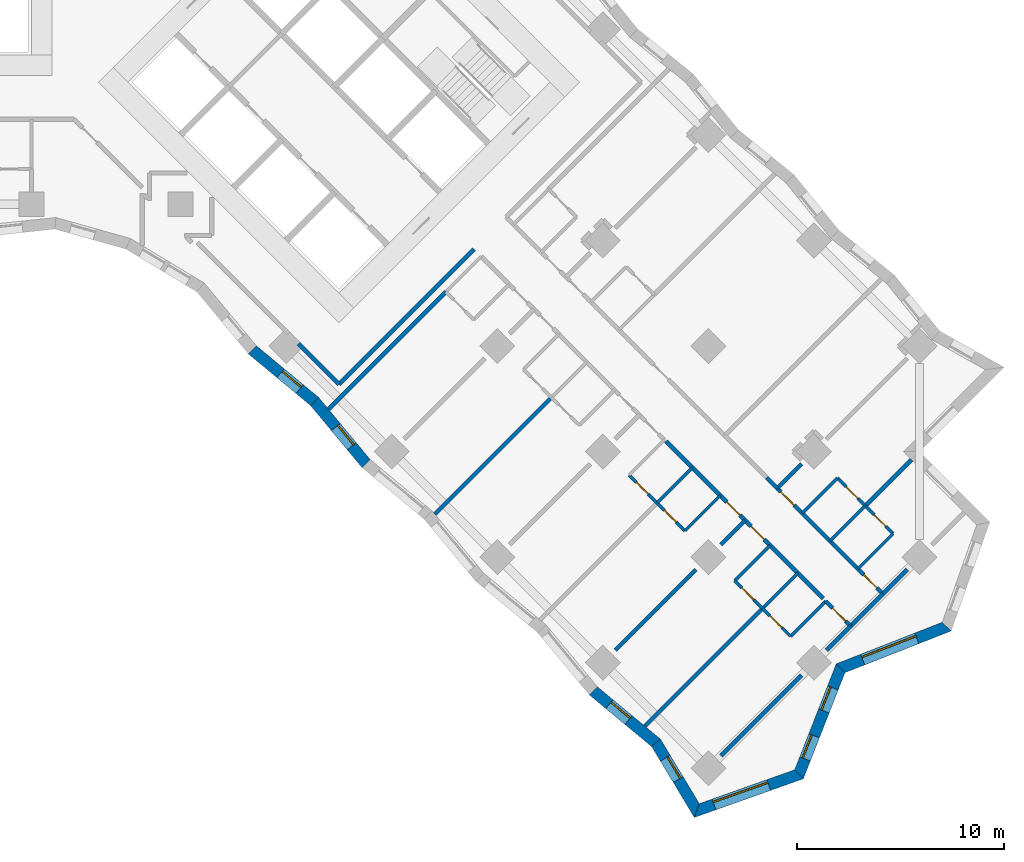
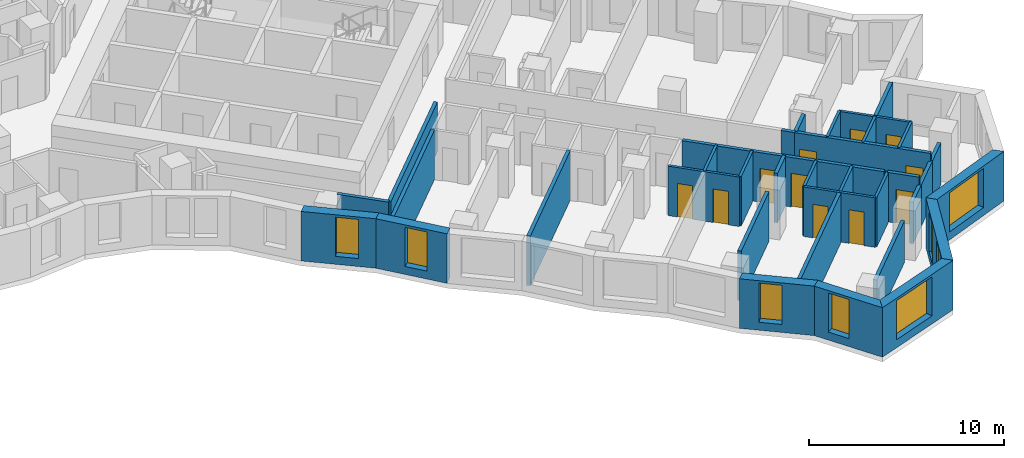
# One storey, part 8 of 13: 36 walls, 11 doors, 8 windows, 19 openings.
"""IFC4 building model written with IfcOpenShell, lengths in metres."""

from ifc_helpers import new_model, si_unit, direction, frame, frame_2d, origin, place, context, subcontext, project, spatial, polyline, rectangle, outline, extrude, material, layer, layer_set, type_object, element, fill, save


model = new_model("IFC4")

# Units and contexts
model_context = context("Model", 3, precision=1e-05, world=origin(), true_north=direction((0.0, 1.0)))
body_context = subcontext(model_context, "Body", "Model", "MODEL_VIEW")
ifc_project = project(units=[si_unit("LENGTHUNIT", "METRE"), si_unit("AREAUNIT", "SQUARE_METRE"), si_unit("VOLUMEUNIT", "CUBIC_METRE"), si_unit("PLANEANGLEUNIT", "RADIAN"), si_unit("MASSUNIT", "GRAM", prefix="KILO")], contexts=[model_context])

# Site, building, storey
site_placement = place(None, origin())
site = spatial("IfcSite", under=ifc_project, at=site_placement, CompositionType="ELEMENT")
building_placement = place(site_placement, origin())
building = spatial("IfcBuilding", under=site, at=building_placement, Name="Windrow Commons", CompositionType="ELEMENT")
storey_placement = place(building_placement, frame((0.0, 0.0, 33.8)))
storey = spatial("IfcBuildingStorey", under=building, at=storey_placement, Name="L08", CompositionType="ELEMENT", Elevation=33.8)

# Wall, opening, window
ifc_material_1 = material(Name="Brick masonry, red clay brick", Category="masonry")
ifc_layer_1 = layer(ifc_material_1, 0.55)
ifc_layer_set_1 = layer_set([ifc_layer_1], Name="Brick facade wall 550")
wall_type_1 = type_object("IfcWallType", Name="Brick facade wall 550", PredefinedType="SOLIDWALL", material=ifc_layer_set_1)
wall_1_placement = place(storey_placement, frame((104.0959, 13.9548, 0.0), z_axis=(0.0, 0.0, 1.0), x_axis=(0.9424205564, 0.3344301046, 0.0)))
wall_1 = element("IfcWall", 1, at=wall_1_placement, inside=storey, type_object=wall_type_1, Name="Brick facade wall L08 1", PredefinedType="SOLIDWALL", context=body_context, shape_type="SweptSolid", body=[
    extrude(outline(polyline([(-0.2245, -0.275), (5.358, -0.275), (5.1071, 0.275), (0.2245, 0.275), (-0.2245, -0.275)])), origin(), (0.0, 0.0, 1.0), 3.1),
])
opening_1_placement = place(wall_1_placement, frame((0.8836, 0.0, 0.5)))
opening_1 = element("IfcOpeningElement", 2, at=opening_1_placement, cuts=wall_1, Name="Opening W1T", PredefinedType="OPENING", context=body_context, shape_type="SweptSolid", body=[
    extrude(rectangle(XDim=2.8, YDim=2.45, at=frame_2d((1.4, 1.225))), frame((0.0, 0.285, 0.0), z_axis=(0.0, -1.0, 0.0), x_axis=(1.0, 0.0, 0.0)), (0.0, 0.0, 1.0), 0.57),
])
ifc_material_2 = material(Name="Clear float glass in anodised aluminium frame", Category="aluminium")
window_type_1 = type_object("IfcWindowType", Name="Window W1T bedroom 2800x2450", PartitioningType="SINGLE_PANEL", PredefinedType="WINDOW", material=ifc_material_2)
window_1_placement = place(opening_1_placement, origin())
window_1 = element("IfcWindow", 3, at=window_1_placement, inside=storey, type_object=window_type_1, Name="Window L08 1.1", OverallHeight=2.45, OverallWidth=2.8, PartitioningType="SINGLE_PANEL", PredefinedType="WINDOW", context=body_context, shape_type="SweptSolid", body=[
    extrude(rectangle(XDim=2.8, YDim=2.45, at=frame_2d((1.4, 1.225))), frame((0.0, 0.155, 0.0), z_axis=(0.0, -1.0, 0.0), x_axis=(1.0, 0.0, 0.0)), (0.0, 0.0, 1.0), 0.06),
])
fill(opening_1, window_1)

# Wall, openings, windows
wall_2_placement = place(storey_placement, frame((109.0271, 15.7047, 0.0), z_axis=(0.0, 0.0, 1.0), x_axis=(0.3651939331, 0.9309314643, 0.0)))
wall_2 = element("IfcWall", 4, at=wall_2_placement, inside=storey, type_object=wall_type_1, Name="Brick facade wall L08 2", PredefinedType="SOLIDWALL", context=body_context, shape_type="SweptSolid", body=[
    extrude(outline(polyline([(-0.1254, -0.275), (5.374, -0.275), (5.6141, 0.275), (0.1254, 0.275), (-0.1254, -0.275)])), origin(), (0.0, 0.0, 1.0), 3.1),
])
opening_2_placement = place(wall_2_placement, frame((0.7955, 0.0, 0.5)))
opening_2 = element("IfcOpeningElement", 5, at=opening_2_placement, cuts=wall_2, Name="Opening W7D", PredefinedType="OPENING", context=body_context, shape_type="SweptSolid", body=[
    extrude(rectangle(XDim=1.2, YDim=2.45, at=frame_2d((0.6, 1.225))), frame((0.0, 0.285, 0.0), z_axis=(0.0, -1.0, 0.0), x_axis=(1.0, 0.0, 0.0)), (0.0, 0.0, 1.0), 0.57),
])
opening_3_placement = place(wall_2_placement, frame((3.2798, 0.0, 0.5)))
opening_3 = element("IfcOpeningElement", 6, at=opening_3_placement, cuts=wall_2, Name="Opening W7D", PredefinedType="OPENING", context=body_context, shape_type="SweptSolid", body=[
    extrude(rectangle(XDim=1.2, YDim=2.45, at=frame_2d((0.6, 1.225))), frame((0.0, 0.285, 0.0), z_axis=(0.0, -1.0, 0.0), x_axis=(1.0, 0.0, 0.0)), (0.0, 0.0, 1.0), 0.57),
])
ifc_material_3 = material(Name="Clear float glass in anodised aluminium frame", Category="aluminium")
window_type_2 = type_object("IfcWindowType", Name="Window W7 notch 1200x2450", PartitioningType="SINGLE_PANEL", PredefinedType="WINDOW", material=ifc_material_3)
window_2_placement = place(opening_2_placement, origin())
window_2 = element("IfcWindow", 7, at=window_2_placement, inside=storey, type_object=window_type_2, Name="Window L08 2.1", OverallHeight=2.45, OverallWidth=1.2, PartitioningType="SINGLE_PANEL", PredefinedType="WINDOW", context=body_context, shape_type="SweptSolid", body=[
    extrude(rectangle(XDim=1.2, YDim=2.45, at=frame_2d((0.6, 1.225))), frame((0.0, 0.155, 0.0), z_axis=(0.0, -1.0, 0.0), x_axis=(1.0, 0.0, 0.0)), (0.0, 0.0, 1.0), 0.06),
])
fill(opening_2, window_2)
window_3_placement = place(opening_3_placement, origin())
window_3 = element("IfcWindow", 8, at=window_3_placement, inside=storey, type_object=window_type_2, Name="Window L08 2.2", OverallHeight=2.45, OverallWidth=1.2, PartitioningType="SINGLE_PANEL", PredefinedType="WINDOW", context=body_context, shape_type="SweptSolid", body=[
    extrude(rectangle(XDim=1.2, YDim=2.45, at=frame_2d((0.6, 1.225))), frame((0.0, 0.155, 0.0), z_axis=(0.0, -1.0, 0.0), x_axis=(1.0, 0.0, 0.0)), (0.0, 0.0, 1.0), 0.06),
])
fill(opening_3, window_3)

# Wall, opening, window
wall_3_placement = place(storey_placement, frame((111.0335, 20.8193, 0.0), z_axis=(0.0, 0.0, 1.0), x_axis=(0.9309376522, 0.3651781589, 0.0)))
wall_3 = element("IfcWall", 9, at=wall_3_placement, inside=storey, type_object=wall_type_1, Name="Brick facade wall L08 3", PredefinedType="SOLIDWALL", context=body_context, shape_type="SweptSolid", body=[
    extrude(outline(polyline([(0.12, -0.275), (5.6195, -0.275), (5.3686, 0.275), (-0.12, 0.275), (0.12, -0.275)])), origin(), (0.0, 0.0, 1.0), 3.1),
])
opening_4_placement = place(wall_3_placement, frame((1.142, 0.0, 0.5)))
opening_4 = element("IfcOpeningElement", 10, at=opening_4_placement, cuts=wall_3, Name="Opening W1T", PredefinedType="OPENING", context=body_context, shape_type="SweptSolid", body=[
    extrude(rectangle(XDim=2.8, YDim=2.45, at=frame_2d((1.4, 1.225))), frame((0.0, 0.285, 0.0), z_axis=(0.0, -1.0, 0.0), x_axis=(1.0, 0.0, 0.0)), (0.0, 0.0, 1.0), 0.57),
])
window_4_placement = place(opening_4_placement, origin())
window_4 = element("IfcWindow", 11, at=window_4_placement, inside=storey, type_object=window_type_1, Name="Window L08 3.1", OverallHeight=2.45, OverallWidth=2.8, PartitioningType="SINGLE_PANEL", PredefinedType="WINDOW", context=body_context, shape_type="SweptSolid", body=[
    extrude(rectangle(XDim=2.8, YDim=2.45, at=frame_2d((1.4, 1.225))), frame((0.0, 0.155, 0.0), z_axis=(0.0, -1.0, 0.0), x_axis=(1.0, 0.0, 0.0)), (0.0, 0.0, 1.0), 0.06),
])
fill(opening_4, window_4)

wall_4_placement = place(storey_placement, frame((82.6611, 36.1749, 0.0), z_axis=(0.0, 0.0, 1.0), x_axis=(0.7696065296, -0.6385184333, 0.0)))
wall_4 = element("IfcWall", 12, at=wall_4_placement, inside=storey, type_object=wall_type_1, Name="Brick facade wall L08 56", PredefinedType="SOLIDWALL", context=body_context, shape_type="SweptSolid", body=[
    extrude(outline(polyline([(-0.0256, -0.275), (3.8687, -0.275), (3.9199, 0.275), (0.0256, 0.275), (-0.0256, -0.275)])), origin(), (0.0, 0.0, 1.0), 3.1),
])
opening_5_placement = place(wall_4_placement, frame((1.7596, 0.0, 0.5)))
opening_5 = element("IfcOpeningElement", 13, at=opening_5_placement, cuts=wall_4, Name="Opening W7D", PredefinedType="OPENING", context=body_context, shape_type="SweptSolid", body=[
    extrude(rectangle(XDim=1.2, YDim=2.45, at=frame_2d((0.6, 1.225))), frame((0.0, 0.285, 0.0), z_axis=(0.0, -1.0, 0.0), x_axis=(1.0, 0.0, 0.0)), (0.0, 0.0, 1.0), 0.57),
])
window_5_placement = place(opening_5_placement, origin())
window_5 = element("IfcWindow", 14, at=window_5_placement, inside=storey, type_object=window_type_2, Name="Window L08 56.1", OverallHeight=2.45, OverallWidth=1.2, PartitioningType="SINGLE_PANEL", PredefinedType="WINDOW", context=body_context, shape_type="SweptSolid", body=[
    extrude(rectangle(XDim=1.2, YDim=2.45, at=frame_2d((0.6, 1.225))), frame((0.0, 0.155, 0.0), z_axis=(0.0, -1.0, 0.0), x_axis=(1.0, 0.0, 0.0)), (0.0, 0.0, 1.0), 0.06),
])
fill(opening_5, window_5)

wall_5_placement = place(storey_placement, frame((85.6582, 33.6883, 0.0), z_axis=(0.0, 0.0, 1.0), x_axis=(0.6385184333, -0.7696065296, 0.0)))
wall_5 = element("IfcWall", 15, at=wall_5_placement, inside=storey, type_object=wall_type_1, Name="Brick facade wall L08 57", PredefinedType="SOLIDWALL", context=body_context, shape_type="SweptSolid", body=[
    extrude(outline(polyline([(0.0256, -0.275), (3.9199, -0.275), (3.8687, 0.275), (-0.0256, 0.275), (0.0256, -0.275)])), origin(), (0.0, 0.0, 1.0), 3.1),
])
opening_6_placement = place(wall_5_placement, frame((1.6074, 0.0, 0.5)))
opening_6 = element("IfcOpeningElement", 16, at=opening_6_placement, cuts=wall_5, Name="Opening W7D", PredefinedType="OPENING", context=body_context, shape_type="SweptSolid", body=[
    extrude(rectangle(XDim=1.2, YDim=2.45, at=frame_2d((0.6, 1.225))), frame((0.0, 0.285, 0.0), z_axis=(0.0, -1.0, 0.0), x_axis=(1.0, 0.0, 0.0)), (0.0, 0.0, 1.0), 0.57),
])
window_6_placement = place(opening_6_placement, origin())
window_6 = element("IfcWindow", 17, at=window_6_placement, inside=storey, type_object=window_type_2, Name="Window L08 57.1", OverallHeight=2.45, OverallWidth=1.2, PartitioningType="SINGLE_PANEL", PredefinedType="WINDOW", context=body_context, shape_type="SweptSolid", body=[
    extrude(rectangle(XDim=1.2, YDim=2.45, at=frame_2d((0.6, 1.225))), frame((0.0, 0.155, 0.0), z_axis=(0.0, -1.0, 0.0), x_axis=(1.0, 0.0, 0.0)), (0.0, 0.0, 1.0), 0.06),
])
fill(opening_6, window_6)

wall_6_placement = place(storey_placement, frame((99.1121, 19.7238, 0.0), z_axis=(0.0, 0.0, 1.0), x_axis=(0.7696116293, -0.6385122866, 0.0)))
wall_6 = element("IfcWall", 18, at=wall_6_placement, inside=storey, type_object=wall_type_1, Name="Brick facade wall L08 62", PredefinedType="SOLIDWALL", context=body_context, shape_type="SweptSolid", body=[
    extrude(outline(polyline([(-0.0256, -0.275), (3.8687, -0.275), (3.9619, 0.275), (0.0256, 0.275), (-0.0256, -0.275)])), origin(), (0.0, 0.0, 1.0), 3.1),
])
opening_7_placement = place(wall_6_placement, frame((0.9968, 0.0, 0.5)))
opening_7 = element("IfcOpeningElement", 19, at=opening_7_placement, cuts=wall_6, Name="Opening W7D", PredefinedType="OPENING", context=body_context, shape_type="SweptSolid", body=[
    extrude(rectangle(XDim=1.2, YDim=2.45, at=frame_2d((0.6, 1.225))), frame((0.0, 0.285, 0.0), z_axis=(0.0, -1.0, 0.0), x_axis=(1.0, 0.0, 0.0)), (0.0, 0.0, 1.0), 0.57),
])
window_7_placement = place(opening_7_placement, origin())
window_7 = element("IfcWindow", 20, at=window_7_placement, inside=storey, type_object=window_type_2, Name="Window L08 62.1", OverallHeight=2.45, OverallWidth=1.2, PartitioningType="SINGLE_PANEL", PredefinedType="WINDOW", context=body_context, shape_type="SweptSolid", body=[
    extrude(rectangle(XDim=1.2, YDim=2.45, at=frame_2d((0.6, 1.225))), frame((0.0, 0.155, 0.0), z_axis=(0.0, -1.0, 0.0), x_axis=(1.0, 0.0, 0.0)), (0.0, 0.0, 1.0), 0.06),
])
fill(opening_7, window_7)

wall_7_placement = place(storey_placement, frame((102.1254, 17.2238, 0.0), z_axis=(0.0, 0.0, 1.0), x_axis=(0.5162476894, -0.8564393284, 0.0)))
wall_7 = element("IfcWall", 21, at=wall_7_placement, inside=storey, type_object=wall_type_1, Name="Brick facade wall L08 63", PredefinedType="SOLIDWALL", context=body_context, shape_type="SweptSolid", body=[
    extrude(outline(polyline([(0.0466, -0.275), (4.0415, -0.275), (3.5924, 0.275), (-0.0466, 0.275), (0.0466, -0.275)])), origin(), (0.0, 0.0, 1.0), 3.1),
])
opening_8_placement = place(wall_7_placement, frame((0.8685, 0.0, 0.5)))
opening_8 = element("IfcOpeningElement", 22, at=opening_8_placement, cuts=wall_7, Name="Opening W7D", PredefinedType="OPENING", context=body_context, shape_type="SweptSolid", body=[
    extrude(rectangle(XDim=1.2, YDim=2.45, at=frame_2d((0.6, 1.225))), frame((0.0, 0.285, 0.0), z_axis=(0.0, -1.0, 0.0), x_axis=(1.0, 0.0, 0.0)), (0.0, 0.0, 1.0), 0.57),
])
window_8_placement = place(opening_8_placement, origin())
window_8 = element("IfcWindow", 23, at=window_8_placement, inside=storey, type_object=window_type_2, Name="Window L08 63.1", OverallHeight=2.45, OverallWidth=1.2, PartitioningType="SINGLE_PANEL", PredefinedType="WINDOW", context=body_context, shape_type="SweptSolid", body=[
    extrude(rectangle(XDim=1.2, YDim=2.45, at=frame_2d((0.6, 1.225))), frame((0.0, 0.155, 0.0), z_axis=(0.0, -1.0, 0.0), x_axis=(1.0, 0.0, 0.0)), (0.0, 0.0, 1.0), 0.06),
])
fill(opening_8, window_8)

# Wall, openings, doors
ifc_material_4 = material(Name="Blockwork partition", Category="masonry")
ifc_layer_2 = layer(ifc_material_4, 0.2)
ifc_layer_set_2 = layer_set([ifc_layer_2], Name="IW-CORRIDOR-200")
wall_type_2 = type_object("IfcWallType", Name="IW-CORRIDOR-200", PredefinedType="PARTITIONING", material=ifc_layer_set_2)
wall_8_placement = place(storey_placement, frame((102.6093, 31.7693, 0.0), z_axis=(0.0, 0.0, 1.0), x_axis=(0.7071067812, -0.7071067812, 0.0)))
wall_8 = element("IfcWall", 24, at=wall_8_placement, inside=storey, type_object=wall_type_2, Name="W-L08-W006", PredefinedType="PARTITIONING", context=body_context, shape_type="SweptSolid", body=[
    extrude(rectangle(XDim=10.7226, YDim=0.2, at=frame_2d((5.3613, 0.0))), origin(), (0.0, 0.0, 1.0), 3.1),
])
opening_9_placement = place(wall_8_placement, frame((4.1497, 0.0, 0.0)))
opening_9 = element("IfcOpeningElement", 25, at=opening_9_placement, cuts=wall_8, Name="Opening D109S", PredefinedType="OPENING", context=body_context, shape_type="SweptSolid", body=[
    extrude(rectangle(XDim=0.9, YDim=2.1, at=frame_2d((0.45, 1.05))), frame((0.0, 0.11, 0.0), z_axis=(0.0, -1.0, 0.0), x_axis=(1.0, 0.0, 0.0)), (0.0, 0.0, 1.0), 0.22),
])
opening_10_placement = place(wall_8_placement, frame((5.7997, 0.0, 0.0)))
opening_10 = element("IfcOpeningElement", 26, at=opening_10_placement, cuts=wall_8, Name="Opening D109S", PredefinedType="OPENING", context=body_context, shape_type="SweptSolid", body=[
    extrude(rectangle(XDim=0.9, YDim=2.1, at=frame_2d((0.45, 1.05))), frame((0.0, 0.11, 0.0), z_axis=(0.0, -1.0, 0.0), x_axis=(1.0, 0.0, 0.0)), (0.0, 0.0, 1.0), 0.22),
])
ifc_material_5 = material(Name="Timber door leaf", Category="wood")
door_type_1 = type_object("IfcDoorType", Name="DT-BEDROOM-900", OperationType="SINGLE_SWING_LEFT", PredefinedType="DOOR", material=ifc_material_5)
door_1_placement = place(opening_9_placement, origin())
door_1 = element("IfcDoor", 27, at=door_1_placement, inside=storey, type_object=door_type_1, Name="D-L08-D065", OperationType="SINGLE_SWING_LEFT", OverallHeight=2.1, OverallWidth=0.9, PredefinedType="DOOR", context=body_context, shape_type="SweptSolid", body=[
    extrude(rectangle(XDim=0.9, YDim=2.1, at=frame_2d((0.45, 1.05))), frame((0.0, 0.025, 0.0), z_axis=(0.0, -1.0, 0.0), x_axis=(1.0, 0.0, 0.0)), (0.0, 0.0, 1.0), 0.05),
])
fill(opening_9, door_1)
door_2_placement = place(opening_10_placement, origin())
door_2 = element("IfcDoor", 28, at=door_2_placement, inside=storey, type_object=door_type_1, Name="D-L08-D067", OperationType="SINGLE_SWING_RIGHT", OverallHeight=2.1, OverallWidth=0.9, PredefinedType="DOOR", context=body_context, shape_type="SweptSolid", body=[
    extrude(rectangle(XDim=0.9, YDim=2.1, at=frame_2d((0.45, 1.05))), frame((0.0, 0.025, 0.0), z_axis=(0.0, -1.0, 0.0), x_axis=(1.0, 0.0, 0.0)), (0.0, 0.0, 1.0), 0.05),
])
fill(opening_10, door_2)

# Wall
wall_9_placement = place(storey_placement, frame((86.8381, 34.5219, 0.0), z_axis=(0.0, 0.0, 1.0), x_axis=(0.7072154749, 0.7069980708, 0.0)))
element("IfcWall", 29, at=wall_9_placement, inside=storey, type_object=wall_type_2, Name="W-L08-W009", PredefinedType="PARTITIONING", context=body_context, shape_type="SweptSolid", body=[
    extrude(rectangle(XDim=9.1995, YDim=0.2, at=frame_2d((4.5998, 0.0))), origin(), (0.0, 0.0, 1.0), 3.1),
])

# Wall, openings, doors
wall_10_placement = place(storey_placement, frame((107.9769, 29.4989, 0.0), z_axis=(0.0, 0.0, 1.0), x_axis=(0.7071067812, -0.7071067812, 0.0)))
wall_10 = element("IfcWall", 30, at=wall_10_placement, inside=storey, type_object=wall_type_2, Name="W-L08-W024", PredefinedType="PARTITIONING", context=body_context, shape_type="SweptSolid", body=[
    extrude(rectangle(XDim=7.1983, YDim=0.2, at=frame_2d((3.5991, 0.0))), origin(), (0.0, 0.0, 1.0), 3.1),
])
opening_11_placement = place(wall_10_placement, frame((0.2472, 0.0, 0.0)))
opening_11 = element("IfcOpeningElement", 31, at=opening_11_placement, cuts=wall_10, Name="Opening D109S", PredefinedType="OPENING", context=body_context, shape_type="SweptSolid", body=[
    extrude(rectangle(XDim=0.9, YDim=2.1, at=frame_2d((0.45, 1.05))), frame((0.0, 0.11, 0.0), z_axis=(0.0, -1.0, 0.0), x_axis=(1.0, 0.0, 0.0)), (0.0, 0.0, 1.0), 0.22),
])
opening_12_placement = place(wall_10_placement, frame((5.8988, 0.0, 0.0)))
opening_12 = element("IfcOpeningElement", 32, at=opening_12_placement, cuts=wall_10, Name="Opening D109S", PredefinedType="OPENING", context=body_context, shape_type="SweptSolid", body=[
    extrude(rectangle(XDim=0.9, YDim=2.1, at=frame_2d((0.45, 1.05))), frame((0.0, 0.11, 0.0), z_axis=(0.0, -1.0, 0.0), x_axis=(1.0, 0.0, 0.0)), (0.0, 0.0, 1.0), 0.22),
])
door_3_placement = place(opening_11_placement, origin())
door_3 = element("IfcDoor", 33, at=door_3_placement, inside=storey, type_object=door_type_1, Name="D-L08-D055", OperationType="SINGLE_SWING_LEFT", OverallHeight=2.1, OverallWidth=0.9, PredefinedType="DOOR", context=body_context, shape_type="SweptSolid", body=[
    extrude(rectangle(XDim=0.9, YDim=2.1, at=frame_2d((0.45, 1.05))), frame((0.0, 0.025, 0.0), z_axis=(0.0, -1.0, 0.0), x_axis=(1.0, 0.0, 0.0)), (0.0, 0.0, 1.0), 0.05),
])
fill(opening_11, door_3)
door_4_placement = place(opening_12_placement, origin())
door_4 = element("IfcDoor", 34, at=door_4_placement, inside=storey, type_object=door_type_1, Name="D-L08-D071", OperationType="SINGLE_SWING_RIGHT", OverallHeight=2.1, OverallWidth=0.9, PredefinedType="DOOR", context=body_context, shape_type="SweptSolid", body=[
    extrude(rectangle(XDim=0.9, YDim=2.1, at=frame_2d((0.45, 1.05))), frame((0.0, 0.025, 0.0), z_axis=(0.0, -1.0, 0.0), x_axis=(1.0, 0.0, 0.0)), (0.0, 0.0, 1.0), 0.05),
])
fill(opening_12, door_4)

# Walls
wall_11_placement = place(storey_placement, frame((84.8888, 36.4648, 0.0), z_axis=(0.0, 0.0, 1.0), x_axis=(0.7071067812, -0.7071067812, 0.0)))
element("IfcWall", 35, at=wall_11_placement, inside=storey, type_object=wall_type_2, Name="W-L08-W073", PredefinedType="PARTITIONING", context=body_context, shape_type="SweptSolid", body=[
    extrude(rectangle(XDim=2.7492, YDim=0.2, at=frame_2d((1.3746, 0.0))), origin(), (0.0, 0.0, 1.0), 3.1),
])
wall_12_placement = place(storey_placement, frame((111.5135, 22.8565, 0.0), z_axis=(0.0, 0.0, 1.0), x_axis=(0.7071067812, 0.7071067812, 0.0)))
element("IfcWall", 36, at=wall_12_placement, inside=storey, type_object=wall_type_2, Name="W-L08-W127", PredefinedType="PARTITIONING", context=body_context, shape_type="SweptSolid", body=[
    extrude(rectangle(XDim=2.2005, YDim=0.2, at=frame_2d((1.1002, 0.0))), origin(), (0.0, 0.0, 1.0), 2.6),
])

# Wall, opening, door
wall_13_placement = place(storey_placement, frame((110.3092, 24.0552, 0.0), z_axis=(0.0, 0.0, 1.0), x_axis=(0.7071067812, -0.7071067812, 0.0)))
wall_13 = element("IfcWall", 37, at=wall_13_placement, inside=storey, type_object=wall_type_2, Name="W-L08-W164", PredefinedType="PARTITIONING", context=body_context, shape_type="SweptSolid", body=[
    extrude(rectangle(XDim=1.6999, YDim=0.2, at=frame_2d((0.8499, 0.0))), origin(), (0.0, 0.0, 1.0), 3.1),
])
opening_13_placement = place(wall_13_placement, frame((0.4665, 0.0, 0.0)))
opening_13 = element("IfcOpeningElement", 38, at=opening_13_placement, cuts=wall_13, Name="Opening D109S", PredefinedType="OPENING", context=body_context, shape_type="SweptSolid", body=[
    extrude(rectangle(XDim=0.9, YDim=2.1, at=frame_2d((0.45, 1.05))), frame((0.0, 0.11, 0.0), z_axis=(0.0, -1.0, 0.0), x_axis=(1.0, 0.0, 0.0)), (0.0, 0.0, 1.0), 0.22),
])
door_5_placement = place(opening_13_placement, origin())
door_5 = element("IfcDoor", 39, at=door_5_placement, inside=storey, type_object=door_type_1, Name="D-L08-D069", OperationType="SINGLE_SWING_LEFT", OverallHeight=2.1, OverallWidth=0.9, PredefinedType="DOOR", context=body_context, shape_type="SweptSolid", body=[
    extrude(rectangle(XDim=0.9, YDim=2.1, at=frame_2d((0.45, 1.05))), frame((0.0, 0.025, 0.0), z_axis=(0.0, -1.0, 0.0), x_axis=(1.0, 0.0, 0.0)), (0.0, 0.0, 1.0), 0.05),
])
fill(opening_13, door_5)

# Wall
wall_14_placement = place(storey_placement, frame((107.4663, 30.0143, 0.0), z_axis=(0.0, 0.0, 1.0), x_axis=(0.7057270646, -0.7084838109, 0.0)))
element("IfcWall", 40, at=wall_14_placement, inside=storey, type_object=wall_type_2, Name="W-L08-W189", PredefinedType="PARTITIONING", context=body_context, shape_type="SweptSolid", body=[
    extrude(rectangle(XDim=0.7255, YDim=0.2, at=frame_2d((0.3628, 0.0))), origin(), (0.0, 0.0, 1.0), 3.1),
])

# Wall, openings, doors
ifc_material_6 = material(Name="Blockwork partition", Category="masonry")
ifc_layer_3 = layer(ifc_material_6, 0.15)
ifc_layer_set_3 = layer_set([ifc_layer_3], Name="IW-ENSUITE-150")
wall_type_3 = type_object("IfcWallType", Name="IW-ENSUITE-150", PredefinedType="PARTITIONING", material=ifc_layer_set_3)
wall_15_placement = place(storey_placement, frame((110.8749, 29.9949, 0.0), z_axis=(0.0, 0.0, 1.0), x_axis=(0.7071067812, -0.7071067812, 0.0)))
wall_15 = element("IfcWall", 41, at=wall_15_placement, inside=storey, type_object=wall_type_3, Name="W-L08-W059", PredefinedType="PARTITIONING", context=body_context, shape_type="SweptSolid", body=[
    extrude(rectangle(XDim=3.8014, YDim=0.15, at=frame_2d((1.9007, 0.0))), origin(), (0.0, 0.0, 1.0), 3.1),
])
opening_14_placement = place(wall_15_placement, frame((0.5983, 0.0, 0.0)))
opening_14 = element("IfcOpeningElement", 42, at=opening_14_placement, cuts=wall_15, Name="Opening D208N", PredefinedType="OPENING", context=body_context, shape_type="SweptSolid", body=[
    extrude(rectangle(XDim=0.8, YDim=2.1, at=frame_2d((0.4, 1.05))), frame((0.0, 0.085, 0.0), z_axis=(0.0, -1.0, 0.0), x_axis=(1.0, 0.0, 0.0)), (0.0, 0.0, 1.0), 0.17),
])
opening_15_placement = place(wall_15_placement, frame((2.5073, 0.0, 0.0)))
opening_15 = element("IfcOpeningElement", 43, at=opening_15_placement, cuts=wall_15, Name="Opening D208N", PredefinedType="OPENING", context=body_context, shape_type="SweptSolid", body=[
    extrude(rectangle(XDim=0.8, YDim=2.1, at=frame_2d((0.4, 1.05))), frame((0.0, 0.085, 0.0), z_axis=(0.0, -1.0, 0.0), x_axis=(1.0, 0.0, 0.0)), (0.0, 0.0, 1.0), 0.17),
])
ifc_material_7 = material(Name="Timber door leaf", Category="wood")
door_type_2 = type_object("IfcDoorType", Name="DT-ENSUITE-800", OperationType="SINGLE_SWING_LEFT", PredefinedType="DOOR", material=ifc_material_7)
door_6_placement = place(opening_14_placement, origin())
door_6 = element("IfcDoor", 44, at=door_6_placement, inside=storey, type_object=door_type_2, Name="D-L08-D056", OperationType="SINGLE_SWING_RIGHT", OverallHeight=2.1, OverallWidth=0.8, PredefinedType="DOOR", context=body_context, shape_type="SweptSolid", body=[
    extrude(rectangle(XDim=0.8, YDim=2.1, at=frame_2d((0.4, 1.05))), frame((0.0, 0.025, 0.0), z_axis=(0.0, -1.0, 0.0), x_axis=(1.0, 0.0, 0.0)), (0.0, 0.0, 1.0), 0.05),
])
fill(opening_14, door_6)
door_7_placement = place(opening_15_placement, origin())
door_7 = element("IfcDoor", 45, at=door_7_placement, inside=storey, type_object=door_type_2, Name="D-L08-D072", OperationType="SINGLE_SWING_RIGHT", OverallHeight=2.1, OverallWidth=0.8, PredefinedType="DOOR", context=body_context, shape_type="SweptSolid", body=[
    extrude(rectangle(XDim=0.8, YDim=2.1, at=frame_2d((0.4, 1.05))), frame((0.0, 0.025, 0.0), z_axis=(0.0, -1.0, 0.0), x_axis=(1.0, 0.0, 0.0)), (0.0, 0.0, 1.0), 0.05),
])
fill(opening_15, door_7)

wall_16_placement = place(storey_placement, frame((100.8361, 30.1381, 0.0), z_axis=(0.0, 0.0, 1.0), x_axis=(0.7065802685, -0.7076329021, 0.0)))
wall_16 = element("IfcWall", 46, at=wall_16_placement, inside=storey, type_object=wall_type_3, Name="W-L08-W065", PredefinedType="PARTITIONING", context=body_context, shape_type="SweptSolid", body=[
    extrude(rectangle(XDim=3.8, YDim=0.15, at=frame_2d((1.9, 0.0))), origin(), (0.0, 0.0, 1.0), 3.1),
])
opening_16_placement = place(wall_16_placement, frame((0.4932, 0.0, 0.0)))
opening_16 = element("IfcOpeningElement", 47, at=opening_16_placement, cuts=wall_16, Name="Opening D208N", PredefinedType="OPENING", context=body_context, shape_type="SweptSolid", body=[
    extrude(rectangle(XDim=0.8, YDim=2.1, at=frame_2d((0.4, 1.05))), frame((0.0, 0.085, 0.0), z_axis=(0.0, -1.0, 0.0), x_axis=(1.0, 0.0, 0.0)), (0.0, 0.0, 1.0), 0.17),
])
opening_17_placement = place(wall_16_placement, frame((2.4022, 0.0, 0.0)))
opening_17 = element("IfcOpeningElement", 48, at=opening_17_placement, cuts=wall_16, Name="Opening D208N", PredefinedType="OPENING", context=body_context, shape_type="SweptSolid", body=[
    extrude(rectangle(XDim=0.8, YDim=2.1, at=frame_2d((0.4, 1.05))), frame((0.0, 0.085, 0.0), z_axis=(0.0, -1.0, 0.0), x_axis=(1.0, 0.0, 0.0)), (0.0, 0.0, 1.0), 0.17),
])
door_8_placement = place(opening_16_placement, origin())
door_8 = element("IfcDoor", 49, at=door_8_placement, inside=storey, type_object=door_type_2, Name="D-L08-D064", OperationType="SINGLE_SWING_RIGHT", OverallHeight=2.1, OverallWidth=0.8, PredefinedType="DOOR", context=body_context, shape_type="SweptSolid", body=[
    extrude(rectangle(XDim=0.8, YDim=2.1, at=frame_2d((0.4, 1.05))), frame((0.0, 0.025, 0.0), z_axis=(0.0, -1.0, 0.0), x_axis=(1.0, 0.0, 0.0)), (0.0, 0.0, 1.0), 0.05),
])
fill(opening_16, door_8)
door_9_placement = place(opening_17_placement, origin())
door_9 = element("IfcDoor", 50, at=door_9_placement, inside=storey, type_object=door_type_2, Name="D-L08-D066", OperationType="SINGLE_SWING_RIGHT", OverallHeight=2.1, OverallWidth=0.8, PredefinedType="DOOR", context=body_context, shape_type="SweptSolid", body=[
    extrude(rectangle(XDim=0.8, YDim=2.1, at=frame_2d((0.4, 1.05))), frame((0.0, 0.025, 0.0), z_axis=(0.0, -1.0, 0.0), x_axis=(1.0, 0.0, 0.0)), (0.0, 0.0, 1.0), 0.05),
])
fill(opening_17, door_9)

# Walls
for number, where, z_axis, x_axis, name in (
    (51, (103.5233, 27.4527, 0.0), (0.0, 0.0, 1.0), (0.7071067812, 0.7071067812, 0.0), "W-L08-W080"),
    (52, (105.9274, 25.0486, 0.0), (0.0, 0.0, 1.0), (0.7071067812, 0.7071067812, 0.0), "W-L08-W081"),
    (53, (107.2709, 23.7051, 0.0), (0.0, 0.0, 1.0), (0.7071067812, 0.7071067812, 0.0), "W-L08-W083"),
):
    element("IfcWall", number, at=place(storey_placement, frame(where, z_axis=z_axis, x_axis=x_axis)), inside=storey, type_object=wall_type_3, Name=name, PredefinedType="PARTITIONING", context=body_context, shape_type="SweptSolid", body=[
        extrude(rectangle(XDim=2.4013, YDim=0.15, at=frame_2d((1.2006, 0.0))), origin(), (0.0, 0.0, 1.0), 3.1),
    ])
for number, where, z_axis, x_axis, name in (
    (54, (109.1824, 28.2996, 0.0), (0.0, 0.0, 1.0), (0.706689978, 0.7075233388, 0.0), "W-L08-W118"),
    (55, (111.8655, 25.6165, 0.0), (0.0, 0.0, 1.0), (0.7075233388, 0.706689978, 0.0), "W-L08-W119"),
    (56, (110.522, 26.96, 0.0), (0.0, 0.0, 1.0), (0.7075233388, 0.706689978, 0.0), "W-L08-W122"),
):
    element("IfcWall", number, at=place(storey_placement, frame(where, z_axis=z_axis, x_axis=x_axis)), inside=storey, type_object=wall_type_3, Name=name, PredefinedType="PARTITIONING", context=body_context, shape_type="SweptSolid", body=[
        extrude(rectangle(XDim=2.3999, YDim=0.15, at=frame_2d((1.2, 0.0))), origin(), (0.0, 0.0, 1.0), 3.1),
    ])
for number, where, z_axis, x_axis, name in (
    (57, (108.6154, 22.3626, 0.0), (0.0, 0.0, 1.0), (0.7071067812, 0.7071067812, 0.0), "W-L08-W124"),
    (58, (102.1808, 28.7972, 0.0), (0.0, 0.0, 1.0), (0.7071067812, 0.7071067812, 0.0), "W-L08-W126"),
):
    element("IfcWall", number, at=place(storey_placement, frame(where, z_axis=z_axis, x_axis=x_axis)), inside=storey, type_object=wall_type_3, Name=name, PredefinedType="PARTITIONING", context=body_context, shape_type="SweptSolid", body=[
        extrude(rectangle(XDim=2.3985, YDim=0.15, at=frame_2d((1.1992, 0.0))), origin(), (0.0, 0.0, 1.0), 3.1),
    ])

# Wall, opening, door
wall_17_placement = place(storey_placement, frame((105.9252, 25.0452, 0.0), z_axis=(0.0, 0.0, 1.0), x_axis=(0.7071067812, -0.7071067812, 0.0)))
wall_17 = element("IfcWall", 59, at=wall_17_placement, inside=storey, type_object=wall_type_3, Name="W-L08-W136", PredefinedType="PARTITIONING", context=body_context, shape_type="SweptSolid", body=[
    extrude(rectangle(XDim=1.9007, YDim=0.15, at=frame_2d((0.9504, 0.0))), origin(), (0.0, 0.0, 1.0), 3.1),
])
opening_18_placement = place(wall_17_placement, frame((0.4935, 0.0, 0.0)))
opening_18 = element("IfcOpeningElement", 60, at=opening_18_placement, cuts=wall_17, Name="Opening D208N", PredefinedType="OPENING", context=body_context, shape_type="SweptSolid", body=[
    extrude(rectangle(XDim=0.8, YDim=2.1, at=frame_2d((0.4, 1.05))), frame((0.0, 0.085, 0.0), z_axis=(0.0, -1.0, 0.0), x_axis=(1.0, 0.0, 0.0)), (0.0, 0.0, 1.0), 0.17),
])
door_10_placement = place(opening_18_placement, origin())
door_10 = element("IfcDoor", 61, at=door_10_placement, inside=storey, type_object=door_type_2, Name="D-L08-D068", OperationType="SINGLE_SWING_RIGHT", OverallHeight=2.1, OverallWidth=0.8, PredefinedType="DOOR", context=body_context, shape_type="SweptSolid", body=[
    extrude(rectangle(XDim=0.8, YDim=2.1, at=frame_2d((0.4, 1.05))), frame((0.0, 0.025, 0.0), z_axis=(0.0, -1.0, 0.0), x_axis=(1.0, 0.0, 0.0)), (0.0, 0.0, 1.0), 0.05),
])
fill(opening_18, door_10)

wall_18_placement = place(storey_placement, frame((107.272, 23.704, 0.0), z_axis=(0.0, 0.0, 1.0), x_axis=(0.7076330979, -0.7065800724, 0.0)))
wall_18 = element("IfcWall", 62, at=wall_18_placement, inside=storey, type_object=wall_type_3, Name="W-L08-W155", PredefinedType="PARTITIONING", context=body_context, shape_type="SweptSolid", body=[
    extrude(rectangle(XDim=1.8993, YDim=0.15, at=frame_2d((0.9496, 0.0))), origin(), (0.0, 0.0, 1.0), 3.1),
])
opening_19_placement = place(wall_18_placement, frame((0.5032, 0.0, 0.0)))
opening_19 = element("IfcOpeningElement", 63, at=opening_19_placement, cuts=wall_18, Name="Opening D208N", PredefinedType="OPENING", context=body_context, shape_type="SweptSolid", body=[
    extrude(rectangle(XDim=0.8, YDim=2.1, at=frame_2d((0.4, 1.05))), frame((0.0, 0.085, 0.0), z_axis=(0.0, -1.0, 0.0), x_axis=(1.0, 0.0, 0.0)), (0.0, 0.0, 1.0), 0.17),
])
door_11_placement = place(opening_19_placement, origin())
door_11 = element("IfcDoor", 64, at=door_11_placement, inside=storey, type_object=door_type_2, Name="D-L08-D070", OperationType="SINGLE_SWING_RIGHT", OverallHeight=2.1, OverallWidth=0.8, PredefinedType="DOOR", context=body_context, shape_type="SweptSolid", body=[
    extrude(rectangle(XDim=0.8, YDim=2.1, at=frame_2d((0.4, 1.05))), frame((0.0, 0.025, 0.0), z_axis=(0.0, -1.0, 0.0), x_axis=(1.0, 0.0, 0.0)), (0.0, 0.0, 1.0), 0.05),
])
fill(opening_19, door_11)

# Walls
ifc_material_8 = material(Name="Blockwork partition", Category="masonry")
ifc_layer_4 = layer(ifc_material_8, 0.2)
ifc_layer_set_4 = layer_set([ifc_layer_4], Name="IW-PARTY-200")
wall_type_4 = type_object("IfcWallType", Name="IW-PARTY-200", PredefinedType="PARTITIONING", material=ifc_layer_set_4)
wall_19_placement = place(storey_placement, frame((101.587, 18.0279, 0.0), z_axis=(0.0, 0.0, 1.0), x_axis=(0.7072374716, 0.7069760666, 0.0)))
element("IfcWall", 65, at=wall_19_placement, inside=storey, type_object=wall_type_4, Name="W-L08-W017", PredefinedType="PARTITIONING", context=body_context, shape_type="SweptSolid", body=[
    extrude(rectangle(XDim=8.0335, YDim=0.2, at=frame_2d((4.0168, 0.0))), origin(), (0.0, 0.0, 1.0), 3.1),
])
wall_20_placement = place(storey_placement, frame((86.3322, 33.3066, 0.0), z_axis=(0.0, 0.0, 1.0), x_axis=(0.7069820292, 0.7072315112, 0.0)))
element("IfcWall", 66, at=wall_20_placement, inside=storey, type_object=wall_type_4, Name="W-L08-W019", PredefinedType="PARTITIONING", context=body_context, shape_type="SweptSolid", body=[
    extrude(rectangle(XDim=8.0166, YDim=0.2, at=frame_2d((4.0083, 0.0))), origin(), (0.0, 0.0, 1.0), 3.1),
])
wall_21_placement = place(storey_placement, frame((91.4602, 28.2516, 0.0), z_axis=(0.0, 0.0, 1.0), x_axis=(0.7072323194, 0.7069812206, 0.0)))
element("IfcWall", 67, at=wall_21_placement, inside=storey, type_object=wall_type_4, Name="W-L08-W022", PredefinedType="PARTITIONING", context=body_context, shape_type="SweptSolid", body=[
    extrude(rectangle(XDim=7.965, YDim=0.2, at=frame_2d((3.9825, 0.0))), origin(), (0.0, 0.0, 1.0), 3.1),
])
wall_22_placement = place(storey_placement, frame((105.2555, 16.5985, 0.0), z_axis=(0.0, 0.0, 1.0), x_axis=(0.7071067812, 0.7071067812, 0.0)))
element("IfcWall", 68, at=wall_22_placement, inside=storey, type_object=wall_type_4, Name="W-L08-W041", PredefinedType="PARTITIONING", context=body_context, shape_type="SweptSolid", body=[
    extrude(rectangle(XDim=5.5041, YDim=0.2, at=frame_2d((2.7521, 0.0))), origin(), (0.0, 0.0, 1.0), 2.6),
])
wall_23_placement = place(storey_placement, frame((100.1634, 21.6886, 0.0), z_axis=(0.0, 0.0, 1.0), x_axis=(0.7071067812, 0.7071067812, 0.0)))
element("IfcWall", 69, at=wall_23_placement, inside=storey, type_object=wall_type_4, Name="W-L08-W044", PredefinedType="PARTITIONING", context=body_context, shape_type="SweptSolid", body=[
    extrude(rectangle(XDim=5.5041, YDim=0.2, at=frame_2d((2.7521, 0.0))), origin(), (0.0, 0.0, 1.0), 3.1),
])
wall_24_placement = place(storey_placement, frame((112.2209, 28.6551, 0.0), z_axis=(0.0, 0.0, 1.0), x_axis=(0.7071067812, 0.7071067812, 0.0)))
element("IfcWall", 70, at=wall_24_placement, inside=storey, type_object=wall_type_4, Name="W-L08-W069", PredefinedType="PARTITIONING", context=body_context, shape_type="SweptSolid", body=[
    extrude(rectangle(XDim=3.1502, YDim=0.2, at=frame_2d((1.5751, 0.0))), origin(), (0.0, 0.0, 1.0), 3.1),
])
wall_25_placement = place(storey_placement, frame((105.2554, 26.7806, 0.0), z_axis=(0.0, 0.0, 1.0), x_axis=(0.7071067812, 0.7071067812, 0.0)))
element("IfcWall", 71, at=wall_25_placement, inside=storey, type_object=wall_type_4, Name="W-L08-W166", PredefinedType="PARTITIONING", context=body_context, shape_type="SweptSolid", body=[
    extrude(rectangle(XDim=1.6518, YDim=0.2, at=frame_2d((0.8259, 0.0))), origin(), (0.0, 0.0, 1.0), 3.1),
])
for number, where, z_axis, x_axis, name in (
    (72, (110.3455, 21.6885, 0.0), (0.0, 0.0, 1.0), (0.7071067812, 0.7071067812, 0.0), "W-L08-W168"),
    (73, (113.0695, 24.4125, 0.0), (0.0, 0.0, 1.0), (0.7071067812, 0.7071067812, 0.0), "W-L08-W169"),
):
    element("IfcWall", number, at=place(storey_placement, frame(where, z_axis=z_axis, x_axis=x_axis)), inside=storey, type_object=wall_type_4, Name=name, PredefinedType="PARTITIONING", context=body_context, shape_type="SweptSolid", body=[
        extrude(rectangle(XDim=1.6518, YDim=0.2, at=frame_2d((0.8259, 0.0))), origin(), (0.0, 0.0, 1.0), 2.6),
    ])
wall_26_placement = place(storey_placement, frame((107.9784, 29.5036, 0.0), z_axis=(0.0, 0.0, 1.0), x_axis=(0.7071067812, 0.7071067812, 0.0)))
element("IfcWall", 74, at=wall_26_placement, inside=storey, type_object=wall_type_4, Name="W-L08-W172", PredefinedType="PARTITIONING", context=body_context, shape_type="SweptSolid", body=[
    extrude(rectangle(XDim=1.6518, YDim=0.2, at=frame_2d((0.8259, 0.0))), origin(), (0.0, 0.0, 1.0), 3.1),
])

save(model, "model.ifc")
